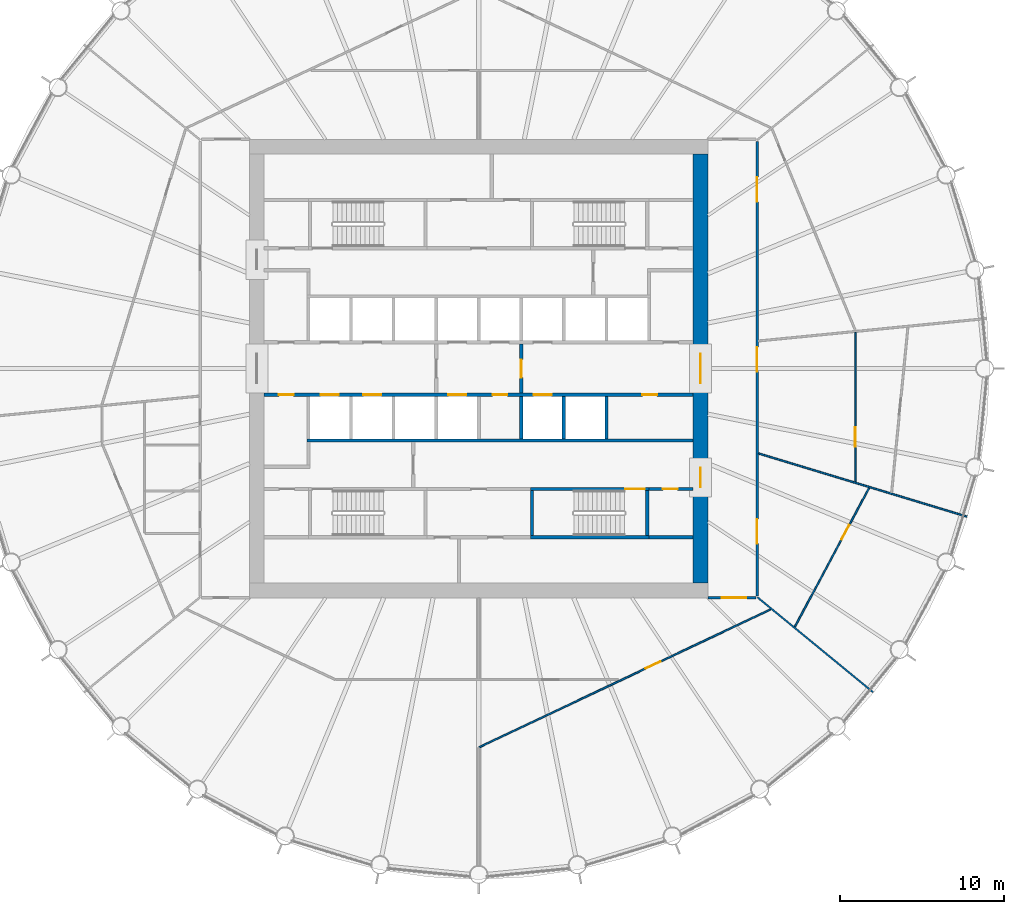
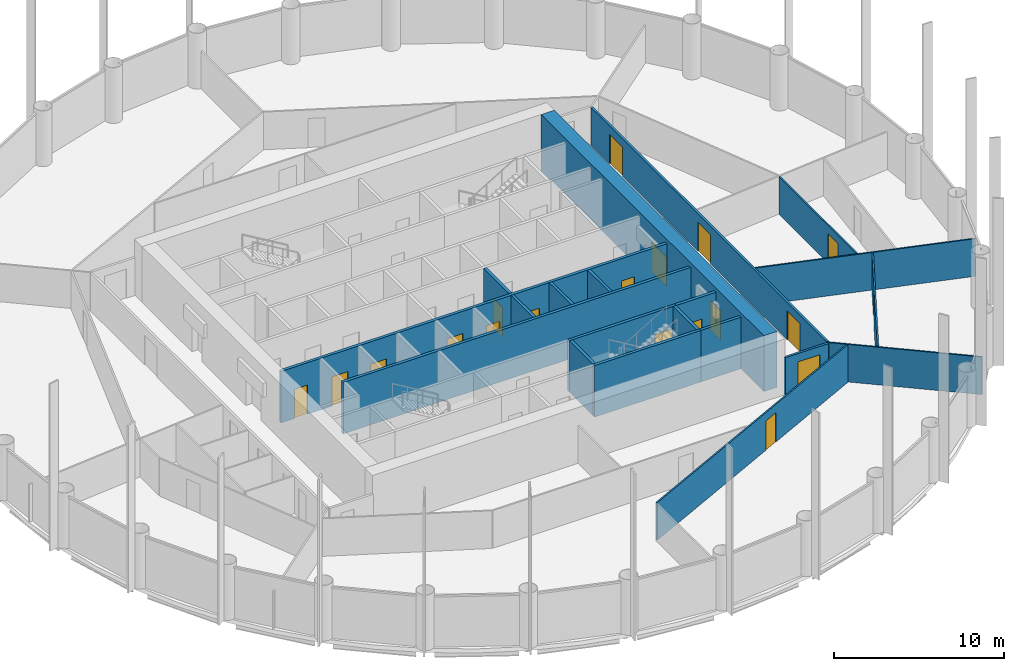
# One storey, part 5 of 8: 20 walls, 19 doors, 19 openings.
"""IFC4 building model written with IfcOpenShell, lengths in metres."""

from ifc_helpers import new_model, si_unit, direction, frame, frame_2d, origin, place, context, subcontext, project, spatial, polyline, rectangle, outline, extrude, material, layer, layer_set, type_object, element, fill, save


model = new_model("IFC4")

# Units and contexts
model_context = context("Model", 3, precision=1e-05, world=origin(), true_north=direction((0.0, 1.0)))
body_context = subcontext(model_context, "Body", "Model", "MODEL_VIEW")
ifc_project = project(units=[si_unit("LENGTHUNIT", "METRE"), si_unit("AREAUNIT", "SQUARE_METRE"), si_unit("VOLUMEUNIT", "CUBIC_METRE"), si_unit("PLANEANGLEUNIT", "RADIAN"), si_unit("MASSUNIT", "GRAM", prefix="KILO")], contexts=[model_context])

# Site, building, storey
site_placement = place(None, origin())
site = spatial("IfcSite", under=ifc_project, at=site_placement, CompositionType="ELEMENT")
building_placement = place(site_placement, origin())
building = spatial("IfcBuilding", under=site, at=building_placement, Name="Corvane Civic Tower", CompositionType="ELEMENT")
storey_placement = place(building_placement, frame((0.0, 0.0, 176.0)))
storey = spatial("IfcBuildingStorey", under=building, at=storey_placement, Name="L41", CompositionType="ELEMENT", Elevation=176.0)

# Wall, openings, doors
ifc_material_1 = material(Name="Concrete C60/75", Category="concrete")
ifc_layer_1 = layer(ifc_material_1, 0.89990234375)
ifc_layer_set_1 = layer_set([ifc_layer_1], Name="Concrete C60/75")
wall_type_1 = type_object("IfcWallType", Name="CORE WALL 900 C60/75", PredefinedType="SHEAR", material=ifc_layer_set_1)
wall_1_placement = place(storey_placement, frame((13.550048828125, -13.10009765625, 0.0), z_axis=(0.0, 0.0, 1.0), x_axis=(0.0, 1.0, 0.0)))
wall_1 = element("IfcWall", 1, at=wall_1_placement, inside=storey, type_object=wall_type_1, Name="W-L41-core-E", PredefinedType="SHEAR", context=body_context, shape_type="SweptSolid", body=[
    extrude(rectangle(XDim=26.2001953125, YDim=0.89990234375, at=frame_2d((13.10009765625, 0.0))), origin(), (0.0, 0.0, 1.0), 4.0),
])
opening_1_placement = place(wall_1_placement, frame((12.199951171875, 0.0, 0.0)))
opening_1 = element("IfcOpeningElement", 2, at=opening_1_placement, cuts=wall_1, Name="Opening L41.C25", PredefinedType="OPENING", context=body_context, shape_type="SweptSolid", body=[
    extrude(rectangle(XDim=1.800048828125, YDim=2.10009765625, at=frame_2d((0.89990234375, 1.050048828125))), frame((0.0, 0.4599609375, 0.0), z_axis=(0.0, -1.0, 0.0), x_axis=(1.0, 0.0, 0.0)), (0.0, 0.0, 1.0), 0.919921875),
])
opening_2_placement = place(wall_1_placement, frame((5.85009765625, 0.0, 0.0)))
opening_2 = element("IfcOpeningElement", 3, at=opening_2_placement, cuts=wall_1, Name="Opening L41.C27", PredefinedType="OPENING", context=body_context, shape_type="SweptSolid", body=[
    extrude(rectangle(XDim=1.199951171875, YDim=2.10009765625, at=frame_2d((0.60009765625, 1.050048828125))), frame((0.0, 0.4599609375, 0.0), z_axis=(0.0, -1.0, 0.0), x_axis=(1.0, 0.0, 0.0)), (0.0, 0.0, 1.0), 0.919921875),
])
ifc_material_2 = material(Name="Steel fire door leaf", Category="steel")
door_type_1 = type_object("IfcDoorType", Name="CR-DOOR-CORE-1800", OperationType="DOUBLE_DOOR_SINGLE_SWING", PredefinedType="DOOR", material=ifc_material_2)
door_1_placement = place(opening_1_placement, origin())
door_1 = element("IfcDoor", 4, at=door_1_placement, inside=storey, type_object=door_type_1, Name="L41 door", OperationType="DOUBLE_DOOR_SINGLE_SWING", OverallHeight=2.10009765625, OverallWidth=1.800048828125, PredefinedType="DOOR", context=body_context, shape_type="SweptSolid", body=[
    extrude(rectangle(XDim=1.800048828125, YDim=2.10009765625, at=frame_2d((0.89990234375, 1.050048828125))), frame((0.0, 0.02490234375, 0.0), z_axis=(0.0, -1.0, 0.0), x_axis=(1.0, 0.0, 0.0)), (0.0, 0.0, 1.0), 0.050048828125),
])
fill(opening_1, door_1)
door_2_placement = place(opening_2_placement, origin())
door_2 = element("IfcDoor", 5, at=door_2_placement, inside=storey, type_object=door_type_1, Name="L41 door", OperationType="DOUBLE_DOOR_SINGLE_SWING", OverallHeight=2.10009765625, OverallWidth=1.199951171875, PredefinedType="DOOR", context=body_context, shape_type="SweptSolid", body=[
    extrude(rectangle(XDim=1.199951171875, YDim=2.10009765625, at=frame_2d((0.60009765625, 1.050048828125))), frame((0.0, 0.02490234375, 0.0), z_axis=(0.0, -1.0, 0.0), x_axis=(1.0, 0.0, 0.0)), (0.0, 0.0, 1.0), 0.050048828125),
])
fill(opening_2, door_2)

# Wall, opening, door
ifc_material_3 = material(Name="Concrete C30/37", Category="concrete")
ifc_layer_2 = layer(ifc_material_3, 0.199951171875)
ifc_layer_set_2 = layer_set([ifc_layer_2], Name="Concrete C30/37")
wall_type_2 = type_object("IfcWallType", Name="CR-WALL-200", PredefinedType="PARTITIONING", material=ifc_layer_set_2)
wall_2_placement = place(storey_placement, frame((10.39990234375, -7.35009765625, 0.0), z_axis=(0.0, 0.0, 1.0), x_axis=(1.0, 0.0, 0.0)))
wall_2 = element("IfcWall", 6, at=wall_2_placement, inside=storey, type_object=wall_type_2, Name="L41 core partition wall", PredefinedType="PARTITIONING", context=body_context, shape_type="SweptSolid", body=[
    extrude(rectangle(XDim=2.7001953125, YDim=0.199951171875, at=frame_2d((1.35009765625, 0.0))), origin(), (0.0, 0.0, 1.0), 3.699951171875),
])
opening_3_placement = place(wall_2_placement, frame((0.85009765625, 0.0, 0.0)))
opening_3 = element("IfcOpeningElement", 7, at=opening_3_placement, cuts=wall_2, Name="Opening L41.C15", PredefinedType="OPENING", context=body_context, shape_type="SweptSolid", body=[
    extrude(rectangle(XDim=0.89990234375, YDim=2.10009765625, at=frame_2d((0.449951171875, 1.050048828125))), frame((0.0, 0.10986328125, 0.0), z_axis=(0.0, -1.0, 0.0), x_axis=(1.0, 0.0, 0.0)), (0.0, 0.0, 1.0), 0.219970703125),
])
ifc_material_4 = material(Name="Steel fire door leaf", Category="steel")
door_type_2 = type_object("IfcDoorType", Name="CR-DOOR-900", OperationType="SINGLE_SWING_LEFT", PredefinedType="DOOR", material=ifc_material_4)
door_3_placement = place(opening_3_placement, origin())
door_3 = element("IfcDoor", 8, at=door_3_placement, inside=storey, type_object=door_type_2, Name="L41 door", OperationType="SINGLE_SWING_LEFT", OverallHeight=2.10009765625, OverallWidth=0.89990234375, PredefinedType="DOOR", context=body_context, shape_type="SweptSolid", body=[
    extrude(rectangle(XDim=0.89990234375, YDim=2.10009765625, at=frame_2d((0.449951171875, 1.050048828125))), frame((0.0, 0.02490234375, 0.0), z_axis=(0.0, -1.0, 0.0), x_axis=(1.0, 0.0, 0.0)), (0.0, 0.0, 1.0), 0.050048828125),
])
fill(opening_3, door_3)

# Wall, openings, doors
wall_3_placement = place(storey_placement, frame((-13.10009765625, -1.60009765625, 0.0), z_axis=(0.0, 0.0, 1.0), x_axis=(1.0, 0.0, 0.0)))
wall_3 = element("IfcWall", 9, at=wall_3_placement, inside=storey, type_object=wall_type_2, Name="L41 lift shaft wall", PredefinedType="PARTITIONING", context=body_context, shape_type="SweptSolid", body=[
    extrude(rectangle(XDim=26.2001953125, YDim=0.199951171875, at=frame_2d((13.10009765625, 0.0))), origin(), (0.0, 0.0, 1.0), 3.699951171875),
])
opening_4_placement = place(wall_3_placement, frame((3.449951171875, 0.0, 0.0)))
opening_4 = element("IfcOpeningElement", 10, at=opening_4_placement, cuts=wall_3, Name="Opening LD", PredefinedType="OPENING", context=body_context, shape_type="SweptSolid", body=[
    extrude(rectangle(XDim=1.10009765625, YDim=2.10009765625, at=frame_2d((0.550048828125, 1.050048828125))), frame((0.0, 0.10986328125, 0.0), z_axis=(0.0, -1.0, 0.0), x_axis=(1.0, 0.0, 0.0)), (0.0, 0.0, 1.0), 0.219970703125),
])
opening_5_placement = place(wall_3_placement, frame((6.050048828125, 0.0, 0.0)))
opening_5 = element("IfcOpeningElement", 11, at=opening_5_placement, cuts=wall_3, Name="Opening LD", PredefinedType="OPENING", context=body_context, shape_type="SweptSolid", body=[
    extrude(rectangle(XDim=1.10009765625, YDim=2.10009765625, at=frame_2d((0.550048828125, 1.050048828125))), frame((0.0, 0.10986328125, 0.0), z_axis=(0.0, -1.0, 0.0), x_axis=(1.0, 0.0, 0.0)), (0.0, 0.0, 1.0), 0.219970703125),
])
opening_6_placement = place(wall_3_placement, frame((11.25, 0.0, 0.0)))
opening_6 = element("IfcOpeningElement", 12, at=opening_6_placement, cuts=wall_3, Name="Opening LD", PredefinedType="OPENING", context=body_context, shape_type="SweptSolid", body=[
    extrude(rectangle(XDim=1.10009765625, YDim=2.10009765625, at=frame_2d((0.550048828125, 1.050048828125))), frame((0.0, 0.10986328125, 0.0), z_axis=(0.0, -1.0, 0.0), x_axis=(1.0, 0.0, 0.0)), (0.0, 0.0, 1.0), 0.219970703125),
])
opening_7_placement = place(wall_3_placement, frame((13.949951171875, 0.0, 0.0)))
opening_7 = element("IfcOpeningElement", 13, at=opening_7_placement, cuts=wall_3, Name="Opening L41.C03", PredefinedType="OPENING", context=body_context, shape_type="SweptSolid", body=[
    extrude(rectangle(XDim=0.89990234375, YDim=2.10009765625, at=frame_2d((0.449951171875, 1.050048828125))), frame((0.0, 0.10986328125, 0.0), z_axis=(0.0, -1.0, 0.0), x_axis=(1.0, 0.0, 0.0)), (0.0, 0.0, 1.0), 0.219970703125),
])
opening_8_placement = place(wall_3_placement, frame((16.449951171875, 0.0, 0.0)))
opening_8 = element("IfcOpeningElement", 14, at=opening_8_placement, cuts=wall_3, Name="Opening LD", PredefinedType="OPENING", context=body_context, shape_type="SweptSolid", body=[
    extrude(rectangle(XDim=1.10009765625, YDim=2.10009765625, at=frame_2d((0.550048828125, 1.050048828125))), frame((0.0, 0.10986328125, 0.0), z_axis=(0.0, -1.0, 0.0), x_axis=(1.0, 0.0, 0.0)), (0.0, 0.0, 1.0), 0.219970703125),
])
opening_9_placement = place(wall_3_placement, frame((0.89990234375, 0.0, 0.0)))
opening_9 = element("IfcOpeningElement", 15, at=opening_9_placement, cuts=wall_3, Name="Opening L41.C04", PredefinedType="OPENING", context=body_context, shape_type="SweptSolid", body=[
    extrude(rectangle(XDim=0.89990234375, YDim=2.10009765625, at=frame_2d((0.449951171875, 1.050048828125))), frame((0.0, 0.10986328125, 0.0), z_axis=(0.0, -1.0, 0.0), x_axis=(1.0, 0.0, 0.0)), (0.0, 0.0, 1.0), 0.219970703125),
])
opening_10_placement = place(wall_3_placement, frame((23.10009765625, 0.0, 0.0)))
opening_10 = element("IfcOpeningElement", 16, at=opening_10_placement, cuts=wall_3, Name="Opening L41.C05", PredefinedType="OPENING", context=body_context, shape_type="SweptSolid", body=[
    extrude(rectangle(XDim=0.89990234375, YDim=2.10009765625, at=frame_2d((0.449951171875, 1.050048828125))), frame((0.0, 0.10986328125, 0.0), z_axis=(0.0, -1.0, 0.0), x_axis=(1.0, 0.0, 0.0)), (0.0, 0.0, 1.0), 0.219970703125),
])
door_4_placement = place(opening_7_placement, origin())
door_4 = element("IfcDoor", 17, at=door_4_placement, inside=storey, type_object=door_type_2, Name="L41 door", OperationType="SINGLE_SWING_LEFT", OverallHeight=2.10009765625, OverallWidth=0.89990234375, PredefinedType="DOOR", context=body_context, shape_type="SweptSolid", body=[
    extrude(rectangle(XDim=0.89990234375, YDim=2.10009765625, at=frame_2d((0.449951171875, 1.050048828125))), frame((0.0, 0.02490234375, 0.0), z_axis=(0.0, -1.0, 0.0), x_axis=(1.0, 0.0, 0.0)), (0.0, 0.0, 1.0), 0.050048828125),
])
fill(opening_7, door_4)
door_5_placement = place(opening_9_placement, origin())
door_5 = element("IfcDoor", 18, at=door_5_placement, inside=storey, type_object=door_type_2, Name="L41 door", OperationType="SINGLE_SWING_LEFT", OverallHeight=2.10009765625, OverallWidth=0.89990234375, PredefinedType="DOOR", context=body_context, shape_type="SweptSolid", body=[
    extrude(rectangle(XDim=0.89990234375, YDim=2.10009765625, at=frame_2d((0.449951171875, 1.050048828125))), frame((0.0, 0.02490234375, 0.0), z_axis=(0.0, -1.0, 0.0), x_axis=(1.0, 0.0, 0.0)), (0.0, 0.0, 1.0), 0.050048828125),
])
fill(opening_9, door_5)
door_6_placement = place(opening_10_placement, origin())
door_6 = element("IfcDoor", 19, at=door_6_placement, inside=storey, type_object=door_type_2, Name="L41 door", OperationType="SINGLE_SWING_LEFT", OverallHeight=2.10009765625, OverallWidth=0.89990234375, PredefinedType="DOOR", context=body_context, shape_type="SweptSolid", body=[
    extrude(rectangle(XDim=0.89990234375, YDim=2.10009765625, at=frame_2d((0.449951171875, 1.050048828125))), frame((0.0, 0.02490234375, 0.0), z_axis=(0.0, -1.0, 0.0), x_axis=(1.0, 0.0, 0.0)), (0.0, 0.0, 1.0), 0.050048828125),
])
fill(opening_10, door_6)
ifc_material_5 = material(Name="Stainless steel 316 door leaves", Category="steel")
door_type_3 = type_object("IfcDoorType", Name="LD", OperationType="DOUBLE_DOOR_SLIDING", PredefinedType="DOOR", material=ifc_material_5)
door_7_placement = place(opening_4_placement, origin())
door_7 = element("IfcDoor", 20, at=door_7_placement, inside=storey, type_object=door_type_3, Name="L41 landing door", OperationType="DOUBLE_DOOR_SLIDING", OverallHeight=2.10009765625, OverallWidth=1.10009765625, PredefinedType="DOOR", context=body_context, shape_type="SweptSolid", body=[
    extrude(rectangle(XDim=1.10009765625, YDim=2.10009765625, at=frame_2d((0.550048828125, 1.050048828125))), frame((0.0, 0.02490234375, 0.0), z_axis=(0.0, -1.0, 0.0), x_axis=(1.0, 0.0, 0.0)), (0.0, 0.0, 1.0), 0.050048828125),
])
fill(opening_4, door_7)
door_8_placement = place(opening_5_placement, origin())
door_8 = element("IfcDoor", 21, at=door_8_placement, inside=storey, type_object=door_type_3, Name="L41 landing door", OperationType="DOUBLE_DOOR_SLIDING", OverallHeight=2.10009765625, OverallWidth=1.10009765625, PredefinedType="DOOR", context=body_context, shape_type="SweptSolid", body=[
    extrude(rectangle(XDim=1.10009765625, YDim=2.10009765625, at=frame_2d((0.550048828125, 1.050048828125))), frame((0.0, 0.02490234375, 0.0), z_axis=(0.0, -1.0, 0.0), x_axis=(1.0, 0.0, 0.0)), (0.0, 0.0, 1.0), 0.050048828125),
])
fill(opening_5, door_8)
door_9_placement = place(opening_6_placement, origin())
door_9 = element("IfcDoor", 22, at=door_9_placement, inside=storey, type_object=door_type_3, Name="L41 landing door", OperationType="DOUBLE_DOOR_SLIDING", OverallHeight=2.10009765625, OverallWidth=1.10009765625, PredefinedType="DOOR", context=body_context, shape_type="SweptSolid", body=[
    extrude(rectangle(XDim=1.10009765625, YDim=2.10009765625, at=frame_2d((0.550048828125, 1.050048828125))), frame((0.0, 0.02490234375, 0.0), z_axis=(0.0, -1.0, 0.0), x_axis=(1.0, 0.0, 0.0)), (0.0, 0.0, 1.0), 0.050048828125),
])
fill(opening_6, door_9)
door_10_placement = place(opening_8_placement, origin())
door_10 = element("IfcDoor", 23, at=door_10_placement, inside=storey, type_object=door_type_3, Name="L41 landing door", OperationType="DOUBLE_DOOR_SLIDING", OverallHeight=2.10009765625, OverallWidth=1.10009765625, PredefinedType="DOOR", context=body_context, shape_type="SweptSolid", body=[
    extrude(rectangle(XDim=1.10009765625, YDim=2.10009765625, at=frame_2d((0.550048828125, 1.050048828125))), frame((0.0, 0.02490234375, 0.0), z_axis=(0.0, -1.0, 0.0), x_axis=(1.0, 0.0, 0.0)), (0.0, 0.0, 1.0), 0.050048828125),
])
fill(opening_8, door_10)

# Wall, opening, door
wall_4_placement = place(storey_placement, frame((2.60009765625, -1.5, 0.0), z_axis=(0.0, 0.0, 1.0), x_axis=(0.0, 1.0, 0.0)))
wall_4 = element("IfcWall", 24, at=wall_4_placement, inside=storey, type_object=wall_type_2, Name="L41 firefighting lobby wall", PredefinedType="PARTITIONING", context=body_context, shape_type="SweptSolid", body=[
    extrude(rectangle(XDim=3.0, YDim=0.199951171875, at=frame_2d((1.5, 0.0))), origin(), (0.0, 0.0, 1.0), 3.699951171875),
])
opening_11_placement = place(wall_4_placement, frame((0.949951171875, 0.0, 0.0)))
opening_11 = element("IfcOpeningElement", 25, at=opening_11_placement, cuts=wall_4, Name="Opening L41.C21", PredefinedType="OPENING", context=body_context, shape_type="SweptSolid", body=[
    extrude(rectangle(XDim=1.10009765625, YDim=2.10009765625, at=frame_2d((0.550048828125, 1.050048828125))), frame((0.0, 0.10986328125, 0.0), z_axis=(0.0, -1.0, 0.0), x_axis=(1.0, 0.0, 0.0)), (0.0, 0.0, 1.0), 0.219970703125),
])
ifc_material_6 = material(Name="Steel fire door leaf", Category="steel")
door_type_4 = type_object("IfcDoorType", Name="CR-DOOR-FFL-1100", OperationType="SINGLE_SWING_LEFT", PredefinedType="DOOR", material=ifc_material_6)
door_11_placement = place(opening_11_placement, origin())
door_11 = element("IfcDoor", 26, at=door_11_placement, inside=storey, type_object=door_type_4, Name="L41 lobby door", OperationType="SINGLE_SWING_LEFT", OverallHeight=2.10009765625, OverallWidth=1.10009765625, PredefinedType="DOOR", context=body_context, shape_type="SweptSolid", body=[
    extrude(rectangle(XDim=1.10009765625, YDim=2.10009765625, at=frame_2d((0.550048828125, 1.050048828125))), frame((0.0, 0.02490234375, 0.0), z_axis=(0.0, -1.0, 0.0), x_axis=(1.0, 0.0, 0.0)), (0.0, 0.0, 1.0), 0.050048828125),
])
fill(opening_11, door_11)

# Walls
wall_5_placement = place(storey_placement, origin())
element("IfcWall", 27, at=wall_5_placement, inside=storey, type_object=wall_type_2, Name="L41 core partition wall", PredefinedType="PARTITIONING", context=body_context, shape_type="SweptSolid", body=[
    extrude(outline(polyline([(13.10009765625, -4.300048828125), (13.10009765625, -4.5), (-10.5, -4.5), (-10.5, -4.300048828125), (13.10009765625, -4.300048828125)])), origin(), (0.0, 0.0, 1.0), 3.699951171875),
])
wall_6_placement = place(storey_placement, origin())
element("IfcWall", 28, at=wall_6_placement, inside=storey, type_object=wall_type_2, Name="L41 core partition wall", PredefinedType="PARTITIONING", context=body_context, shape_type="SweptSolid", body=[
    extrude(outline(polyline([(2.699951171875, -1.699951171875), (2.699951171875, -4.2998046875), (2.5, -4.2998046875), (2.5, -1.699951171875), (2.699951171875, -1.699951171875)])), origin(), (0.0, 0.0, 1.0), 3.699951171875),
])
wall_7_placement = place(storey_placement, origin())
element("IfcWall", 29, at=wall_7_placement, inside=storey, type_object=wall_type_2, Name="L41 core partition wall", PredefinedType="PARTITIONING", context=body_context, shape_type="SweptSolid", body=[
    extrude(outline(polyline([(5.300048828125, -1.699951171875), (5.300048828125, -4.2998046875), (5.10009765625, -4.2998046875), (5.10009765625, -1.699951171875), (5.300048828125, -1.699951171875)])), origin(), (0.0, 0.0, 1.0), 3.699951171875),
])
wall_8_placement = place(storey_placement, origin())
element("IfcWall", 30, at=wall_8_placement, inside=storey, type_object=wall_type_2, Name="L41 core partition wall", PredefinedType="PARTITIONING", context=body_context, shape_type="SweptSolid", body=[
    extrude(outline(polyline([(7.89990234375, -1.699951171875), (7.89990234375, -4.2998046875), (7.699951171875, -4.2998046875), (7.699951171875, -1.699951171875), (7.89990234375, -1.699951171875)])), origin(), (0.0, 0.0, 1.0), 3.699951171875),
])
wall_9_placement = place(storey_placement, origin())
element("IfcWall", 31, at=wall_9_placement, inside=storey, type_object=wall_type_2, Name="L41 core partition wall", PredefinedType="PARTITIONING", context=body_context, shape_type="SweptSolid", body=[
    extrude(outline(polyline([(13.10009765625, -10.39990234375), (10.39990234375, -10.39990234375), (10.39990234375, -10.199951171875), (13.10009765625, -10.199951171875), (13.10009765625, -10.39990234375)])), origin(), (0.0, 0.0, 1.0), 3.699951171875),
])

# Wall, opening, door
ifc_material_7 = material(Name="Plasterboard")
ifc_layer_3 = layer(ifc_material_7, 0.10009765625)
ifc_layer_set_3 = layer_set([ifc_layer_3], Name="Plasterboard")
wall_type_3 = type_object("IfcWallType", Name="Partition 100 plasterboard on studs", PredefinedType="PARTITIONING", material=ifc_layer_set_3)
wall_10_placement = place(storey_placement, frame((0.028564453125, -23.126953125, 0.0), z_axis=(0.0, 0.0, 1.0), x_axis=(0.903992844698, 0.427547584176, 0.0)))
wall_10 = element("IfcWall", 32, at=wall_10_placement, inside=storey, type_object=wall_type_3, Name="Partition L41.002", PredefinedType="PARTITIONING", context=body_context, shape_type="SweptSolid", body=[
    extrude(rectangle(XDim=19.677001953125, YDim=0.10009765625, at=frame_2d((9.83837890625, 0.0))), origin(), (0.0, 0.0, 1.0), 2.699951171875),
])
opening_12_placement = place(wall_10_placement, frame((11.2451171875, 0.0, 0.0)))
opening_12 = element("IfcOpeningElement", 33, at=opening_12_placement, cuts=wall_10, Name="Opening L41.006", PredefinedType="OPENING", context=body_context, shape_type="SweptSolid", body=[
    extrude(rectangle(XDim=1.0, YDim=2.10009765625, at=frame_2d((0.5, 1.050048828125))), frame((0.0, 0.06005859375, 0.0), z_axis=(0.0, -1.0, 0.0), x_axis=(1.0, 0.0, 0.0)), (0.0, 0.0, 1.0), 0.1201171875),
])
ifc_material_8 = material(Name="Timber", Category="wood")
door_type_5 = type_object("IfcDoorType", Name="Single door 1000", OperationType="NOTDEFINED", PredefinedType="DOOR", material=ifc_material_8)
door_12_placement = place(opening_12_placement, frame((1.0, 0.0, 0.0), z_axis=(0.0, 0.0, 1.0), x_axis=(-1.0, 0.0, 0.0)))
door_12 = element("IfcDoor", 34, at=door_12_placement, inside=storey, type_object=door_type_5, Name="Door L41.006", OperationType="SINGLE_SWING_RIGHT", OverallHeight=2.10009765625, OverallWidth=1.0, PredefinedType="DOOR", context=body_context, shape_type="SweptSolid", body=[
    extrude(rectangle(XDim=1.0, YDim=2.10009765625, at=frame_2d((0.5, 1.050048828125))), frame((0.0, 0.02490234375, 0.0), z_axis=(0.0, -1.0, 0.0), x_axis=(1.0, 0.0, 0.0)), (0.0, 0.0, 1.0), 0.050048828125),
])
fill(opening_12, door_12)

# Wall
wall_11_placement = place(storey_placement, frame((17.018310546875, -13.966552734375, 0.0), z_axis=(0.0, 0.0, 1.0), x_axis=(0.773006154143, -0.634398522742, 0.0)))
element("IfcWall", 35, at=wall_11_placement, inside=storey, type_object=wall_type_3, Name="Partition L41.004", PredefinedType="PARTITIONING", context=body_context, shape_type="SweptSolid", body=[
    extrude(rectangle(XDim=9.134521484375, YDim=0.10009765625, at=frame_2d((4.5673828125, 0.0))), origin(), (0.0, 0.0, 1.0), 2.699951171875),
])

# Wall, opening, door
wall_12_placement = place(storey_placement, frame((19.309814453125, -15.769775390625, 0.0), z_axis=(0.0, 0.0, 1.0), x_axis=(0.471375227101, 0.881932761199, 0.0)))
wall_12 = element("IfcWall", 36, at=wall_12_placement, inside=storey, type_object=wall_type_3, Name="Partition L41.008", PredefinedType="PARTITIONING", context=body_context, shape_type="SweptSolid", body=[
    extrude(rectangle(XDim=9.6103515625, YDim=0.10009765625, at=frame_2d((4.80517578125, 0.0))), origin(), (0.0, 0.0, 1.0), 2.699951171875),
])
opening_13_placement = place(wall_12_placement, frame((6.037353515625, 0.0, 0.0)))
opening_13 = element("IfcOpeningElement", 37, at=opening_13_placement, cuts=wall_12, Name="Opening L41.015", PredefinedType="OPENING", context=body_context, shape_type="SweptSolid", body=[
    extrude(rectangle(XDim=1.0, YDim=2.10009765625, at=frame_2d((0.5, 1.050048828125))), frame((0.0, 0.06005859375, 0.0), z_axis=(0.0, -1.0, 0.0), x_axis=(1.0, 0.0, 0.0)), (0.0, 0.0, 1.0), 0.1201171875),
])
door_13_placement = place(opening_13_placement, frame((1.0, 0.0, 0.0), z_axis=(0.0, 0.0, 1.0), x_axis=(-1.0, 0.0, 0.0)))
door_13 = element("IfcDoor", 38, at=door_13_placement, inside=storey, type_object=door_type_5, Name="Door L41.015", OperationType="SINGLE_SWING_RIGHT", OverallHeight=2.10009765625, OverallWidth=1.0, PredefinedType="DOOR", context=body_context, shape_type="SweptSolid", body=[
    extrude(rectangle(XDim=1.0, YDim=2.10009765625, at=frame_2d((0.5, 1.050048828125))), frame((0.0, 0.02490234375, 0.0), z_axis=(0.0, -1.0, 0.0), x_axis=(1.0, 0.0, 0.0)), (0.0, 0.0, 1.0), 0.050048828125),
])
fill(opening_13, door_13)

# Wall
wall_13_placement = place(storey_placement, frame((17.089599609375, -5.18408203125, 0.0), z_axis=(0.0, 0.0, 1.0), x_axis=(0.956939088308, -0.290288789428, 0.0)))
element("IfcWall", 39, at=wall_13_placement, inside=storey, type_object=wall_type_3, Name="Partition L41.016", PredefinedType="PARTITIONING", context=body_context, shape_type="SweptSolid", body=[
    extrude(rectangle(XDim=13.29150390625, YDim=0.10009765625, at=frame_2d((6.645751953125, 0.0))), origin(), (0.0, 0.0, 1.0), 2.699951171875),
])

# Wall, opening, door
wall_14_placement = place(storey_placement, frame((23.0, -6.90966796875, 0.0), z_axis=(0.0, 0.0, 1.0), x_axis=(0.0, 1.0, 0.0)))
wall_14 = element("IfcWall", 40, at=wall_14_placement, inside=storey, type_object=wall_type_3, Name="Partition L41.019", PredefinedType="PARTITIONING", context=body_context, shape_type="SweptSolid", body=[
    extrude(rectangle(XDim=9.119873046875, YDim=0.10009765625, at=frame_2d((4.56005859375, 0.0))), origin(), (0.0, 0.0, 1.0), 2.699951171875),
])
opening_14_placement = place(wall_14_placement, frame((2.13037109375, 0.0, 0.0)))
opening_14 = element("IfcOpeningElement", 41, at=opening_14_placement, cuts=wall_14, Name="Opening L41.013", PredefinedType="OPENING", context=body_context, shape_type="SweptSolid", body=[
    extrude(rectangle(XDim=1.199951171875, YDim=2.10009765625, at=frame_2d((0.60009765625, 1.050048828125))), frame((0.0, 0.06005859375, 0.0), z_axis=(0.0, -1.0, 0.0), x_axis=(1.0, 0.0, 0.0)), (0.0, 0.0, 1.0), 0.1201171875),
])
ifc_material_9 = material(Name="Timber", Category="wood")
door_type_6 = type_object("IfcDoorType", Name="Double door 1200", OperationType="NOTDEFINED", PredefinedType="DOOR", material=ifc_material_9)
door_14_placement = place(opening_14_placement, frame((1.199951171875, 0.0, 0.0), z_axis=(0.0, 0.0, 1.0), x_axis=(-1.0, 0.0, 0.0)))
door_14 = element("IfcDoor", 42, at=door_14_placement, inside=storey, type_object=door_type_6, Name="Door L41.013", OperationType="DOUBLE_DOOR_SINGLE_SWING", OverallHeight=2.10009765625, OverallWidth=1.199951171875, PredefinedType="DOOR", context=body_context, shape_type="SweptSolid", body=[
    extrude(rectangle(XDim=1.199951171875, YDim=2.10009765625, at=frame_2d((0.60009765625, 1.050048828125))), frame((0.0, 0.02490234375, 0.0), z_axis=(0.0, -1.0, 0.0), x_axis=(1.0, 0.0, 0.0)), (0.0, 0.0, 1.0), 0.050048828125),
])
fill(opening_14, door_14)

ifc_material_10 = material(Name="Concrete C50/60", Category="concrete")
ifc_layer_4 = layer(ifc_material_10, 0.199951171875)
ifc_layer_set_4 = layer_set([ifc_layer_4], Name="Concrete C50/60")
wall_type_4 = type_object("IfcWallType", Name="ST-WALL-200", PredefinedType="SHEAR", material=ifc_layer_set_4)
wall_15_placement = place(storey_placement, frame((3.14990234375, -7.35009765625, 0.0), z_axis=(0.0, 0.0, 1.0), x_axis=(1.0, 0.0, 0.0)))
wall_15 = element("IfcWall", 43, at=wall_15_placement, inside=storey, type_object=wall_type_4, Name="L41 stair enclosure wall", PredefinedType="SHEAR", context=body_context, shape_type="SweptSolid", body=[
    extrude(rectangle(XDim=7.25, YDim=0.199951171875, at=frame_2d((3.625, 0.0))), origin(), (0.0, 0.0, 1.0), 3.699951171875),
])
opening_15_placement = place(wall_15_placement, frame((5.800048828125, 0.0, 0.0)))
opening_15 = element("IfcOpeningElement", 44, at=opening_15_placement, cuts=wall_15, Name="Opening L41.C18", PredefinedType="OPENING", context=body_context, shape_type="SweptSolid", body=[
    extrude(rectangle(XDim=1.199951171875, YDim=2.10009765625, at=frame_2d((0.60009765625, 1.050048828125))), frame((0.0, 0.10986328125, 0.0), z_axis=(0.0, -1.0, 0.0), x_axis=(1.0, 0.0, 0.0)), (0.0, 0.0, 1.0), 0.219970703125),
])
ifc_material_11 = material(Name="Steel fire door leaf", Category="steel")
door_type_7 = type_object("IfcDoorType", Name="ST-DOOR-1200", OperationType="SINGLE_SWING_RIGHT", PredefinedType="DOOR", material=ifc_material_11)
door_15_placement = place(opening_15_placement, origin())
door_15 = element("IfcDoor", 45, at=door_15_placement, inside=storey, type_object=door_type_7, Name="L41 stair door", OperationType="SINGLE_SWING_RIGHT", OverallHeight=2.10009765625, OverallWidth=1.199951171875, PredefinedType="DOOR", context=body_context, shape_type="SweptSolid", body=[
    extrude(rectangle(XDim=1.199951171875, YDim=2.10009765625, at=frame_2d((0.60009765625, 1.050048828125))), frame((0.0, 0.02490234375, 0.0), z_axis=(0.0, -1.0, 0.0), x_axis=(1.0, 0.0, 0.0)), (0.0, 0.0, 1.0), 0.050048828125),
])
fill(opening_15, door_15)

# Walls
wall_16_placement = place(storey_placement, origin())
element("IfcWall", 46, at=wall_16_placement, inside=storey, type_object=wall_type_4, Name="L41 stair enclosure wall", PredefinedType="SHEAR", context=body_context, shape_type="SweptSolid", body=[
    extrude(outline(polyline([(10.39990234375, -10.39990234375), (3.14990234375, -10.39990234375), (3.14990234375, -10.199951171875), (10.39990234375, -10.199951171875), (10.39990234375, -10.39990234375)])), origin(), (0.0, 0.0, 1.0), 3.699951171875),
])
wall_17_placement = place(storey_placement, origin())
element("IfcWall", 47, at=wall_17_placement, inside=storey, type_object=wall_type_4, Name="L41 stair enclosure wall", PredefinedType="SHEAR", context=body_context, shape_type="SweptSolid", body=[
    extrude(outline(polyline([(3.35009765625, -7.449951171875), (3.35009765625, -10.199951171875), (3.14990234375, -10.199951171875), (3.14990234375, -7.449951171875), (3.35009765625, -7.449951171875)])), origin(), (0.0, 0.0, 1.0), 3.699951171875),
])
wall_18_placement = place(storey_placement, origin())
element("IfcWall", 48, at=wall_18_placement, inside=storey, type_object=wall_type_4, Name="L41 stair enclosure wall", PredefinedType="SHEAR", context=body_context, shape_type="SweptSolid", body=[
    extrude(outline(polyline([(10.39990234375, -7.449951171875), (10.39990234375, -10.199951171875), (10.199951171875, -10.199951171875), (10.199951171875, -7.449951171875), (10.39990234375, -7.449951171875)])), origin(), (0.0, 0.0, 1.0), 3.699951171875),
])

# Wall, opening, door
ifc_material_12 = material(Name="Plasterboard")
ifc_layer_5 = layer(ifc_material_12, 0.14990234375)
ifc_layer_set_5 = layer_set([ifc_layer_5], Name="Plasterboard")
wall_type_5 = type_object("IfcWallType", Name="Tenancy wall 150 EI 60", PredefinedType="PARTITIONING", material=ifc_layer_set_5)
wall_19_placement = place(storey_placement, frame((13.989990234375, -14.0, 0.0), z_axis=(0.0, 0.0, 1.0), x_axis=(1.0, 0.0, 0.0)))
wall_19 = element("IfcWall", 49, at=wall_19_placement, inside=storey, type_object=wall_type_5, Name="Partition L41.011", PredefinedType="PARTITIONING", context=body_context, shape_type="SweptSolid", body=[
    extrude(rectangle(XDim=2.93505859375, YDim=0.14990234375, at=frame_2d((1.467529296875, 0.0))), origin(), (0.0, 0.0, 1.0), 2.699951171875),
])
opening_16_placement = place(wall_19_placement, frame((0.85888671875, 0.0, 0.0)))
opening_16 = element("IfcOpeningElement", 50, at=opening_16_placement, cuts=wall_19, Name="Opening L41.008", PredefinedType="OPENING", context=body_context, shape_type="SweptSolid", body=[
    extrude(rectangle(XDim=1.5, YDim=2.10009765625, at=frame_2d((0.75, 1.050048828125))), frame((0.0, 0.0849609375, 0.0), z_axis=(0.0, -1.0, 0.0), x_axis=(1.0, 0.0, 0.0)), (0.0, 0.0, 1.0), 0.169921875),
])
ifc_material_13 = material(Name="Steel and timber", Category="steel")
door_type_8 = type_object("IfcDoorType", Name="Fire door FD60 double 1500", OperationType="NOTDEFINED", PredefinedType="DOOR", material=ifc_material_13)
door_16_placement = place(opening_16_placement, frame((1.5, 0.0, 0.0), z_axis=(0.0, 0.0, 1.0), x_axis=(-1.0, 0.0, 0.0)))
door_16 = element("IfcDoor", 51, at=door_16_placement, inside=storey, type_object=door_type_8, Name="Door L41.008", OperationType="DOUBLE_DOOR_SINGLE_SWING", OverallHeight=2.10009765625, OverallWidth=1.5, PredefinedType="DOOR", context=body_context, shape_type="SweptSolid", body=[
    extrude(rectangle(XDim=1.5, YDim=2.10009765625, at=frame_2d((0.75, 1.050048828125))), frame((0.0, 0.02490234375, 0.0), z_axis=(0.0, -1.0, 0.0), x_axis=(1.0, 0.0, 0.0)), (0.0, 0.0, 1.0), 0.050048828125),
])
fill(opening_16, door_16)

# Wall, openings, doors
wall_20_placement = place(storey_placement, frame((17.0, -13.87646484375, 0.0), z_axis=(0.0, 0.0, 1.0), x_axis=(0.0, 1.0, 0.0)))
wall_20 = element("IfcWall", 52, at=wall_20_placement, inside=storey, type_object=wall_type_5, Name="Partition L41.013", PredefinedType="PARTITIONING", context=body_context, shape_type="SweptSolid", body=[
    extrude(rectangle(XDim=27.7529296875, YDim=0.14990234375, at=frame_2d((13.87646484375, 0.0))), origin(), (0.0, 0.0, 1.0), 2.699951171875),
])
opening_17_placement = place(wall_20_placement, frame((24.0595703125, 0.0, 0.0)))
opening_17 = element("IfcOpeningElement", 53, at=opening_17_placement, cuts=wall_20, Name="Opening L41.011", PredefinedType="OPENING", context=body_context, shape_type="SweptSolid", body=[
    extrude(rectangle(XDim=1.5, YDim=2.10009765625, at=frame_2d((0.75, 1.050048828125))), frame((0.0, 0.0849609375, 0.0), z_axis=(0.0, -1.0, 0.0), x_axis=(1.0, 0.0, 0.0)), (0.0, 0.0, 1.0), 0.169921875),
])
opening_18_placement = place(wall_20_placement, frame((13.684814453125, 0.0, 0.0)))
opening_18 = element("IfcOpeningElement", 54, at=opening_18_placement, cuts=wall_20, Name="Opening L41.014", PredefinedType="OPENING", context=body_context, shape_type="SweptSolid", body=[
    extrude(rectangle(XDim=1.5, YDim=2.10009765625, at=frame_2d((0.75, 1.050048828125))), frame((0.0, 0.0849609375, 0.0), z_axis=(0.0, -1.0, 0.0), x_axis=(1.0, 0.0, 0.0)), (0.0, 0.0, 1.0), 0.169921875),
])
opening_19_placement = place(wall_20_placement, frame((3.18115234375, 0.0, 0.0)))
opening_19 = element("IfcOpeningElement", 55, at=opening_19_placement, cuts=wall_20, Name="Opening L41.016", PredefinedType="OPENING", context=body_context, shape_type="SweptSolid", body=[
    extrude(rectangle(XDim=1.5, YDim=2.10009765625, at=frame_2d((0.75, 1.050048828125))), frame((0.0, 0.0849609375, 0.0), z_axis=(0.0, -1.0, 0.0), x_axis=(1.0, 0.0, 0.0)), (0.0, 0.0, 1.0), 0.169921875),
])
door_17_placement = place(opening_17_placement, frame((1.5, 0.0, 0.0), z_axis=(0.0, 0.0, 1.0), x_axis=(-1.0, 0.0, 0.0)))
door_17 = element("IfcDoor", 56, at=door_17_placement, inside=storey, type_object=door_type_8, Name="Door L41.011", OperationType="DOUBLE_DOOR_SINGLE_SWING", OverallHeight=2.10009765625, OverallWidth=1.5, PredefinedType="DOOR", context=body_context, shape_type="SweptSolid", body=[
    extrude(rectangle(XDim=1.5, YDim=2.10009765625, at=frame_2d((0.75, 1.050048828125))), frame((0.0, 0.02490234375, 0.0), z_axis=(0.0, -1.0, 0.0), x_axis=(1.0, 0.0, 0.0)), (0.0, 0.0, 1.0), 0.050048828125),
])
fill(opening_17, door_17)
door_18_placement = place(opening_18_placement, frame((1.5, 0.0, 0.0), z_axis=(0.0, 0.0, 1.0), x_axis=(-1.0, 0.0, 0.0)))
door_18 = element("IfcDoor", 57, at=door_18_placement, inside=storey, type_object=door_type_8, Name="Door L41.014", OperationType="DOUBLE_DOOR_SINGLE_SWING", OverallHeight=2.10009765625, OverallWidth=1.5, PredefinedType="DOOR", context=body_context, shape_type="SweptSolid", body=[
    extrude(rectangle(XDim=1.5, YDim=2.10009765625, at=frame_2d((0.75, 1.050048828125))), frame((0.0, 0.02490234375, 0.0), z_axis=(0.0, -1.0, 0.0), x_axis=(1.0, 0.0, 0.0)), (0.0, 0.0, 1.0), 0.050048828125),
])
fill(opening_18, door_18)
door_19_placement = place(opening_19_placement, frame((1.5, 0.0, 0.0), z_axis=(0.0, 0.0, 1.0), x_axis=(-1.0, 0.0, 0.0)))
door_19 = element("IfcDoor", 58, at=door_19_placement, inside=storey, type_object=door_type_8, Name="Door L41.016", OperationType="DOUBLE_DOOR_SINGLE_SWING", OverallHeight=2.10009765625, OverallWidth=1.5, PredefinedType="DOOR", context=body_context, shape_type="SweptSolid", body=[
    extrude(rectangle(XDim=1.5, YDim=2.10009765625, at=frame_2d((0.75, 1.050048828125))), frame((0.0, 0.02490234375, 0.0), z_axis=(0.0, -1.0, 0.0), x_axis=(1.0, 0.0, 0.0)), (0.0, 0.0, 1.0), 0.050048828125),
])
fill(opening_19, door_19)

save(model, "model.ifc")
